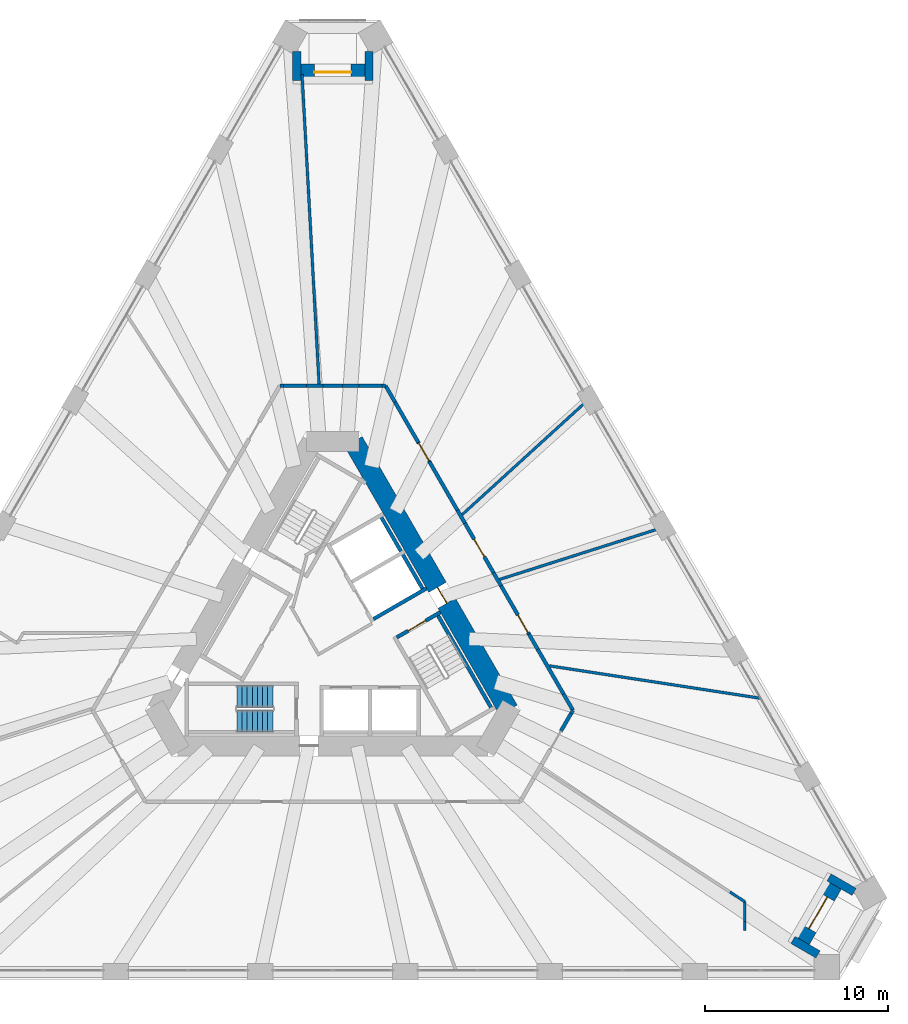
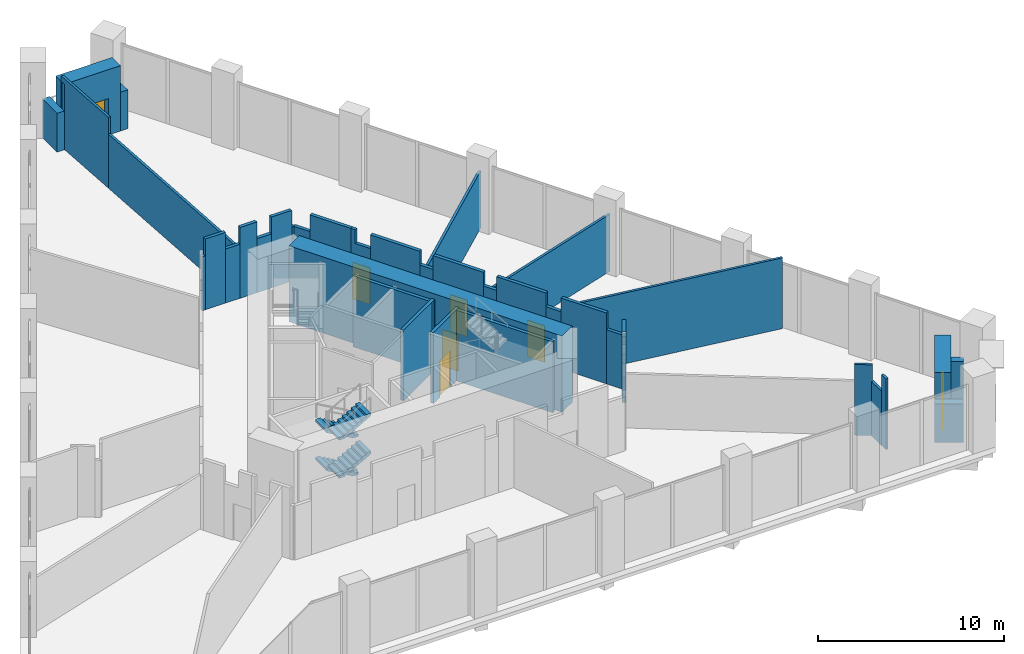
# One storey, part 15 of 20: 39 walls, 7 doors, 4 stair flights, 7 openings, 1 element without a shape of its own.
"""IFC4 building model written with IfcOpenShell, lengths in metres."""

from ifc_helpers import new_model, si_unit, direction, frame, frame_2d, origin, place, context, subcontext, project, spatial, polyline, rectangle, outline, extrude, material, layer, layer_set, type_object, element, fill, aggregate, save


model = new_model("IFC4")

# Units and contexts
model_context = context("Model", 3, precision=1e-05, world=origin(), true_north=direction((0.0, 1.0)))
body_context = subcontext(model_context, "Body", "Model", "MODEL_VIEW")
ifc_project = project(units=[si_unit("LENGTHUNIT", "METRE"), si_unit("AREAUNIT", "SQUARE_METRE"), si_unit("VOLUMEUNIT", "CUBIC_METRE"), si_unit("PLANEANGLEUNIT", "RADIAN"), si_unit("MASSUNIT", "GRAM", prefix="KILO")], contexts=[model_context])

# Site, building, storey
site_placement = place(None, origin())
site = spatial("IfcSite", under=ifc_project, at=site_placement, CompositionType="ELEMENT")
building_placement = place(site_placement, origin())
building = spatial("IfcBuilding", under=site, at=building_placement, Name="Tramontana Tower", CompositionType="ELEMENT")
storey_placement = place(building_placement, frame((0.0, 0.0, 10.0)))
storey = spatial("IfcBuildingStorey", under=building, at=storey_placement, Name="L01", CompositionType="ELEMENT", Elevation=10.0)

# Wall, opening, door
ifc_material_1 = material(Name="Concrete 70 MPa", Category="concrete")
ifc_layer_1 = layer(ifc_material_1, 1.10009765625)
ifc_layer_set_1 = layer_set([ifc_layer_1], Name="Core wall 1100 70 MPa")
wall_type_1 = type_object("IfcWallType", Name="Core wall 1100 70 MPa", PredefinedType="SHEAR", material=ifc_layer_set_1)
wall_1_placement = place(storey_placement, frame((9.61279296875, -4.25, 0.0), z_axis=(0.0, 0.0, 1.0), x_axis=(-0.500001757713, 0.866024388966, 0.0)))
wall_1 = element("IfcWall", 1, at=wall_1_placement, inside=storey, type_object=wall_type_1, Name="Core wall C5 L01", PredefinedType="SHEAR", context=body_context, shape_type="SweptSolid", body=[
    extrude(rectangle(XDim=16.97412109375, YDim=1.10009765625, at=frame_2d((8.487060546875, 0.0))), origin(), (0.0, 0.0, 1.0), 5.0),
])
opening_1_placement = place(wall_1_placement, frame((6.761962890625, 0.0, 0.0)))
opening_1 = element("IfcOpeningElement", 2, at=opening_1_placement, cuts=wall_1, Name="Opening RG3", PredefinedType="OPENING", context=body_context, shape_type="SweptSolid", body=[
    extrude(rectangle(XDim=1.0, YDim=2.39990234375, at=frame_2d((0.5, 1.199951171875))), frame((0.0, 0.56005859375, 0.0), z_axis=(0.0, -1.0, 0.0), x_axis=(1.0, 0.0, 0.0)), (0.0, 0.0, 1.0), 1.1201171875),
])
ifc_material_2 = material(Name="Painted steel", Category="steel")
door_type_1 = type_object("IfcDoorType", Name="RING DOOR 1000", OperationType="SINGLE_SWING_LEFT", PredefinedType="DOOR", material=ifc_material_2)
door_1_placement = place(opening_1_placement, origin())
door_1 = element("IfcDoor", 3, at=door_1_placement, inside=storey, type_object=door_type_1, Name="Door RG3", OperationType="SINGLE_SWING_LEFT", OverallHeight=2.39990234375, OverallWidth=1.0, PredefinedType="DOOR", context=body_context, shape_type="SweptSolid", body=[
    extrude(rectangle(XDim=1.0, YDim=2.39990234375, at=frame_2d((0.5, 1.199951171875))), frame((0.0, 0.02490234375, 0.0), z_axis=(0.0, -1.0, 0.0), x_axis=(1.0, 0.0, 0.0)), (0.0, 0.0, 1.0), 0.050048828125),
])
fill(opening_1, door_1)

# Walls
ifc_material_3 = material(Name="Blockwork", Category="masonry")
ifc_layer_2 = layer(ifc_material_3, 0.199951171875)
ifc_layer_set_2 = layer_set([ifc_layer_2], Name="ENTRY WALL 200")
wall_type_2 = type_object("IfcWallType", Name="ENTRY WALL 200", PredefinedType="SOLIDWALL", material=ifc_layer_set_2)
wall_2_placement = place(storey_placement, frame((2.88671875, 13.5, 0.0), z_axis=(0.0, 0.0, 1.0), x_axis=(0.499994660107, -0.866028486751, 0.0)))
element("IfcWall", 4, at=wall_2_placement, inside=storey, type_object=wall_type_2, Name="Wall ew0-0", PredefinedType="SOLIDWALL", context=body_context, shape_type="SweptSolid", body=[
    extrude(rectangle(XDim=1.03515625, YDim=0.199951171875, at=frame_2d((0.517578125, 0.0))), origin(), (0.0, 0.0, 1.0), 3.550048828125),
])
wall_3_placement = place(storey_placement, frame((3.404296875, 12.603515625, 0.0), z_axis=(0.0, 0.0, 1.0), x_axis=(0.50004602983, -0.865998826819, 0.0)))
element("IfcWall", 5, at=wall_3_placement, inside=storey, type_object=wall_type_2, Name="Wall ew0-1", PredefinedType="SOLIDWALL", context=body_context, shape_type="SweptSolid", body=[
    extrude(rectangle(XDim=2.547119140625, YDim=0.199951171875, at=frame_2d((1.2734375, 0.0))), origin(), (0.0, 0.0, 1.0), 4.64990234375),
])

# Wall, opening, door
wall_4_placement = place(storey_placement, frame((4.677978515625, 10.397705078125, 0.0), z_axis=(0.0, 0.0, 1.0), x_axis=(0.500040506767, -0.866002015928, 0.0)))
wall_4 = element("IfcWall", 6, at=wall_4_placement, inside=storey, type_object=wall_type_2, Name="Wall ew0-2", PredefinedType="SOLIDWALL", context=body_context, shape_type="SweptSolid", body=[
    extrude(outline(polyline([(0.0, 0.0), (1.21826171875, 0.0), (1.21826171875, 3.75), (0.268310546875, 3.75), (0.268310546875, 4.64990234375), (0.0, 4.64990234375), (0.0, 0.0)])), frame((0.0, 0.10009765625, 0.0), z_axis=(0.0, -1.0, 0.0), x_axis=(1.0, 0.0, 0.0)), (0.0, 0.0, 1.0), 0.199951171875),
])
opening_2_placement = place(wall_4_placement, frame((0.050048828125, 0.0, 0.0)))
opening_2 = element("IfcOpeningElement", 7, at=opening_2_placement, cuts=wall_4, Name="Opening L01-01", PredefinedType="OPENING", context=body_context, shape_type="SweptSolid", body=[
    extrude(rectangle(XDim=1.10009765625, YDim=2.39990234375, at=frame_2d((0.550048828125, 1.199951171875))), frame((0.0, 0.10986328125, 0.0), z_axis=(0.0, -1.0, 0.0), x_axis=(1.0, 0.0, 0.0)), (0.0, 0.0, 1.0), 0.219970703125),
])
ifc_material_4 = material(Name="Painted timber", Category="wood")
door_type_2 = type_object("IfcDoorType", Name="DOOR ENTRY 1100", OperationType="SINGLE_SWING_LEFT", PredefinedType="DOOR", material=ifc_material_4)
door_2_placement = place(opening_2_placement, origin())
door_2 = element("IfcDoor", 8, at=door_2_placement, inside=storey, type_object=door_type_2, Name="Door L01-01", OperationType="SINGLE_SWING_LEFT", OverallHeight=2.39990234375, OverallWidth=1.10009765625, PredefinedType="DOOR", context=body_context, shape_type="SweptSolid", body=[
    extrude(rectangle(XDim=1.10009765625, YDim=2.39990234375, at=frame_2d((0.550048828125, 1.199951171875))), frame((0.0, 0.02490234375, 0.0), z_axis=(0.0, -1.0, 0.0), x_axis=(1.0, 0.0, 0.0)), (0.0, 0.0, 1.0), 0.050048828125),
])
fill(opening_2, door_2)

# Walls
wall_5_placement = place(storey_placement, frame((5.287109375, 9.3427734375, 0.0), z_axis=(0.0, 0.0, 1.0), x_axis=(0.499952348839, -0.866052913447, 0.0)))
element("IfcWall", 9, at=wall_5_placement, inside=storey, type_object=wall_type_2, Name="Wall ew0-3", PredefinedType="SOLIDWALL", context=body_context, shape_type="SweptSolid", body=[
    extrude(rectangle(XDim=3.064208984375, YDim=0.199951171875, at=frame_2d((1.5322265625, 0.0))), origin(), (0.0, 0.0, 1.0), 4.64990234375),
])
wall_6_placement = place(storey_placement, frame((6.819091796875, 6.68896484375, 0.0), z_axis=(0.0, 0.0, 1.0), x_axis=(0.500118501653, -0.865956976012, 0.0)))
element("IfcWall", 10, at=wall_6_placement, inside=storey, type_object=wall_type_2, Name="Wall ew0-4", PredefinedType="SOLIDWALL", context=body_context, shape_type="SweptSolid", body=[
    extrude(rectangle(XDim=0.818115234375, YDim=0.199951171875, at=frame_2d((0.4091796875, 0.0))), origin(), (0.0, 0.0, 1.0), 3.75),
])

# Wall, opening, door
wall_7_placement = place(storey_placement, frame((7.228271484375, 5.98046875, 0.0), z_axis=(0.0, 0.0, 1.0), x_axis=(0.499947505232, -0.866055709532, 0.0)))
wall_7 = element("IfcWall", 11, at=wall_7_placement, inside=storey, type_object=wall_type_2, Name="Wall ew0-5", PredefinedType="SOLIDWALL", context=body_context, shape_type="SweptSolid", body=[
    extrude(rectangle(XDim=3.130126953125, YDim=0.199951171875, at=frame_2d((1.56494140625, 0.0))), origin(), (0.0, 0.0, 1.0), 4.64990234375),
])
opening_3_placement = place(wall_7_placement, frame((1.01513671875, 0.0, 0.0)))
opening_3 = element("IfcOpeningElement", 12, at=opening_3_placement, cuts=wall_7, Name="Opening L01-10", PredefinedType="OPENING", context=body_context, shape_type="SweptSolid", body=[
    extrude(rectangle(XDim=1.10009765625, YDim=2.39990234375, at=frame_2d((0.550048828125, 1.199951171875))), frame((0.0, 0.10986328125, 0.0), z_axis=(0.0, -1.0, 0.0), x_axis=(1.0, 0.0, 0.0)), (0.0, 0.0, 1.0), 0.219970703125),
])
door_3_placement = place(opening_3_placement, origin())
door_3 = element("IfcDoor", 13, at=door_3_placement, inside=storey, type_object=door_type_2, Name="Door L01-10", OperationType="SINGLE_SWING_RIGHT", OverallHeight=2.39990234375, OverallWidth=1.10009765625, PredefinedType="DOOR", context=body_context, shape_type="SweptSolid", body=[
    extrude(rectangle(XDim=1.10009765625, YDim=2.39990234375, at=frame_2d((0.550048828125, 1.199951171875))), frame((0.0, 0.02490234375, 0.0), z_axis=(0.0, -1.0, 0.0), x_axis=(1.0, 0.0, 0.0)), (0.0, 0.0, 1.0), 0.050048828125),
])
fill(opening_3, door_3)

# Wall
wall_8_placement = place(storey_placement, frame((8.793212890625, 3.26953125, 0.0), z_axis=(0.0, 0.0, 1.0), x_axis=(0.500118501653, -0.865956976012, 0.0)))
element("IfcWall", 14, at=wall_8_placement, inside=storey, type_object=wall_type_2, Name="Wall ew0-6", PredefinedType="SOLIDWALL", context=body_context, shape_type="SweptSolid", body=[
    extrude(rectangle(XDim=0.818115234375, YDim=0.199951171875, at=frame_2d((0.4091796875, 0.0))), origin(), (0.0, 0.0, 1.0), 3.75),
])

# Wall, opening, door
wall_9_placement = place(storey_placement, frame((9.202392578125, 2.56103515625, 0.0), z_axis=(0.0, 0.0, 1.0), x_axis=(0.499952348839, -0.866052913447, 0.0)))
wall_9 = element("IfcWall", 15, at=wall_9_placement, inside=storey, type_object=wall_type_2, Name="Wall ew0-7", PredefinedType="SOLIDWALL", context=body_context, shape_type="SweptSolid", body=[
    extrude(rectangle(XDim=3.064208984375, YDim=0.199951171875, at=frame_2d((1.5322265625, 0.0))), origin(), (0.0, 0.0, 1.0), 4.64990234375),
])
opening_4_placement = place(wall_9_placement, frame((1.838623046875, 0.0, 0.0)))
opening_4 = element("IfcOpeningElement", 16, at=opening_4_placement, cuts=wall_9, Name="Opening L01-09", PredefinedType="OPENING", context=body_context, shape_type="SweptSolid", body=[
    extrude(rectangle(XDim=1.10009765625, YDim=2.39990234375, at=frame_2d((0.550048828125, 1.199951171875))), frame((0.0, 0.10986328125, 0.0), z_axis=(0.0, -1.0, 0.0), x_axis=(1.0, 0.0, 0.0)), (0.0, 0.0, 1.0), 0.219970703125),
])
door_4_placement = place(opening_4_placement, origin())
door_4 = element("IfcDoor", 17, at=door_4_placement, inside=storey, type_object=door_type_2, Name="Door L01-09", OperationType="SINGLE_SWING_LEFT", OverallHeight=2.39990234375, OverallWidth=1.10009765625, PredefinedType="DOOR", context=body_context, shape_type="SweptSolid", body=[
    extrude(rectangle(XDim=1.10009765625, YDim=2.39990234375, at=frame_2d((0.550048828125, 1.199951171875))), frame((0.0, 0.02490234375, 0.0), z_axis=(0.0, -1.0, 0.0), x_axis=(1.0, 0.0, 0.0)), (0.0, 0.0, 1.0), 0.050048828125),
])
fill(opening_4, door_4)

# Walls
wall_10_placement = place(storey_placement, frame((10.734375, -0.0927734375, 0.0), z_axis=(0.0, 0.0, 1.0), x_axis=(0.500174821557, -0.865924446982, 0.0)))
element("IfcWall", 18, at=wall_10_placement, inside=storey, type_object=wall_type_2, Name="Wall ew0-8", PredefinedType="SOLIDWALL", context=body_context, shape_type="SweptSolid", body=[
    extrude(rectangle(XDim=0.949951171875, YDim=0.199951171875, at=frame_2d((0.47509765625, 0.0))), origin(), (0.0, 0.0, 1.0), 3.75),
])
wall_11_placement = place(storey_placement, frame((11.20947265625, -0.915283203125, 0.0), z_axis=(0.0, 0.0, 1.0), x_axis=(0.49993514545, -0.866062844338, 0.0)))
element("IfcWall", 19, at=wall_11_placement, inside=storey, type_object=wall_type_2, Name="Wall ew0-9", PredefinedType="SOLIDWALL", context=body_context, shape_type="SweptSolid", body=[
    extrude(rectangle(XDim=2.815185546875, YDim=0.199951171875, at=frame_2d((1.40771484375, 0.0))), origin(), (0.0, 0.0, 1.0), 4.64990234375),
])
wall_12_placement = place(storey_placement, frame((12.616943359375, -3.353515625, 0.0), z_axis=(0.0, 0.0, 1.0), x_axis=(0.500171514983, -0.865926356915, 0.0)))
element("IfcWall", 20, at=wall_12_placement, inside=storey, type_object=wall_type_2, Name="Wall ew0-10", PredefinedType="SOLIDWALL", context=body_context, shape_type="SweptSolid", body=[
    extrude(rectangle(XDim=1.035400390625, YDim=0.199951171875, at=frame_2d((0.517578125, 0.0))), origin(), (0.0, 0.0, 1.0), 3.550048828125),
])
wall_13_placement = place(storey_placement, frame((13.134765625, -4.25, 0.0), z_axis=(0.0, 0.0, 1.0), x_axis=(-0.499865263774, -0.866103179807, 0.0)))
element("IfcWall", 21, at=wall_13_placement, inside=storey, type_object=wall_type_2, Name="Wall ew1-0", PredefinedType="SOLIDWALL", context=body_context, shape_type="SweptSolid", body=[
    extrude(rectangle(XDim=0.197265625, YDim=0.199951171875, at=frame_2d((0.0986328125, 0.0))), origin(), (0.0, 0.0, 1.0), 3.550048828125),
])
wall_14_placement = place(storey_placement, frame((13.0361328125, -4.4208984375, 0.0), z_axis=(0.0, 0.0, 1.0), x_axis=(-0.499978356969, -0.866037899034, 0.0)))
element("IfcWall", 22, at=wall_14_placement, inside=storey, type_object=wall_type_2, Name="Wall ew1-1", PredefinedType="SOLIDWALL", context=body_context, shape_type="SweptSolid", body=[
    extrude(rectangle(XDim=1.10107421875, YDim=0.199951171875, at=frame_2d((0.550537109375, 0.0))), origin(), (0.0, 0.0, 1.0), 4.64990234375),
])
wall_15_placement = place(storey_placement, frame((-2.88671875, 13.5, 0.0), z_axis=(0.0, 0.0, 1.0), x_axis=(1.0, 0.0, 0.0)))
element("IfcWall", 23, at=wall_15_placement, inside=storey, type_object=wall_type_2, Name="Wall ew5-0", PredefinedType="SOLIDWALL", context=body_context, shape_type="SweptSolid", body=[
    extrude(rectangle(XDim=0.197265625, YDim=0.199951171875, at=frame_2d((0.0986328125, 0.0))), origin(), (0.0, 0.0, 1.0), 3.550048828125),
])
wall_16_placement = place(storey_placement, frame((-2.689453125, 13.5, 0.0), z_axis=(0.0, 0.0, 1.0), x_axis=(1.0, 0.0, 0.0)))
element("IfcWall", 24, at=wall_16_placement, inside=storey, type_object=wall_type_2, Name="Wall ew5-1", PredefinedType="SOLIDWALL", context=body_context, shape_type="SweptSolid", body=[
    extrude(rectangle(XDim=1.266845703125, YDim=0.199951171875, at=frame_2d((0.63330078125, 0.0))), origin(), (0.0, 0.0, 1.0), 4.64990234375),
])
wall_17_placement = place(storey_placement, frame((-1.422607421875, 13.5, 0.0), z_axis=(0.0, 0.0, 1.0), x_axis=(1.0, 0.0, 0.0)))
element("IfcWall", 25, at=wall_17_placement, inside=storey, type_object=wall_type_2, Name="Wall ew5-2", PredefinedType="SOLIDWALL", context=body_context, shape_type="SweptSolid", body=[
    extrude(rectangle(XDim=0.90234375, YDim=0.199951171875, at=frame_2d((0.451171875, 0.0))), origin(), (0.0, 0.0, 1.0), 3.550048828125),
])
wall_18_placement = place(storey_placement, frame((-0.520263671875, 13.5, 0.0), z_axis=(0.0, 0.0, 1.0), x_axis=(1.0, 0.0, 0.0)))
element("IfcWall", 26, at=wall_18_placement, inside=storey, type_object=wall_type_2, Name="Wall ew5-3", PredefinedType="SOLIDWALL", context=body_context, shape_type="SweptSolid", body=[
    extrude(rectangle(XDim=1.04052734375, YDim=0.199951171875, at=frame_2d((0.520263671875, 0.0))), origin(), (0.0, 0.0, 1.0), 4.64990234375),
])
wall_19_placement = place(storey_placement, frame((0.520263671875, 13.5, 0.0), z_axis=(0.0, 0.0, 1.0), x_axis=(1.0, 0.0, 0.0)))
element("IfcWall", 27, at=wall_19_placement, inside=storey, type_object=wall_type_2, Name="Wall ew5-4", PredefinedType="SOLIDWALL", context=body_context, shape_type="SweptSolid", body=[
    extrude(rectangle(XDim=0.90234375, YDim=0.199951171875, at=frame_2d((0.451171875, 0.0))), origin(), (0.0, 0.0, 1.0), 3.550048828125),
])
wall_20_placement = place(storey_placement, frame((1.422607421875, 13.5, 0.0), z_axis=(0.0, 0.0, 1.0), x_axis=(1.0, 0.0, 0.0)))
element("IfcWall", 28, at=wall_20_placement, inside=storey, type_object=wall_type_2, Name="Wall ew5-5", PredefinedType="SOLIDWALL", context=body_context, shape_type="SweptSolid", body=[
    extrude(rectangle(XDim=1.266845703125, YDim=0.199951171875, at=frame_2d((0.63330078125, 0.0))), origin(), (0.0, 0.0, 1.0), 4.64990234375),
])
wall_21_placement = place(storey_placement, frame((2.689453125, 13.5, 0.0), z_axis=(0.0, 0.0, 1.0), x_axis=(1.0, 0.0, 0.0)))
element("IfcWall", 29, at=wall_21_placement, inside=storey, type_object=wall_type_2, Name="Wall ew5-6", PredefinedType="SOLIDWALL", context=body_context, shape_type="SweptSolid", body=[
    extrude(rectangle(XDim=0.197265625, YDim=0.199951171875, at=frame_2d((0.0986328125, 0.0))), origin(), (0.0, 0.0, 1.0), 3.550048828125),
])
ifc_material_5 = material(Name="Precast concrete 60 MPa", Category="concrete")
ifc_layer_3 = layer(ifc_material_5, 0.449951171875)
ifc_layer_set_3 = layer_set([ifc_layer_3], Name="Precast concrete 60 MPa, 450 mm")
wall_type_3 = type_object("IfcWallType", Name="EW1 Stone-faced precast wall 450", PredefinedType="SOLIDWALL", material=ifc_layer_set_3)
for number, where, z_axis, x_axis, name in (
    (30, (-1.97509765625, 31.779296875, 0.0), (0.0, 0.0, 1.0), (0.0, -1.0, 0.0), "Corner loggia side wall L01 K00l"),
    (31, (1.97509765625, 31.779296875, 0.0), (0.0, 0.0, 1.0), (0.0, -1.0, 0.0), "Corner loggia side wall L01 K00r"),
):
    element("IfcWall", number, at=place(storey_placement, frame(where, z_axis=z_axis, x_axis=x_axis)), inside=storey, type_object=wall_type_3, Name=name, PredefinedType="SOLIDWALL", context=body_context, shape_type="SweptSolid", body=[
        extrude(rectangle(XDim=1.579345703125, YDim=0.449951171875, at=frame_2d((0.78955078125, 0.0))), origin(), (0.0, 0.0, 1.0), 2.550048828125),
    ])
wall_22_placement = place(storey_placement, frame((28.509033203125, -14.17919921875, 0.0), z_axis=(0.0, 0.0, 1.0), x_axis=(-0.866046570609, 0.499963336192, 0.0)))
element("IfcWall", 32, at=wall_22_placement, inside=storey, type_object=wall_type_3, Name="Corner loggia side wall L01 K02l", PredefinedType="SOLIDWALL", context=body_context, shape_type="SweptSolid", body=[
    extrude(rectangle(XDim=1.5791015625, YDim=0.449951171875, at=frame_2d((0.78955078125, 0.0))), origin(), (0.0, 0.0, 1.0), 2.550048828125),
])
wall_23_placement = place(storey_placement, frame((26.5341796875, -17.60009765625, 0.0), z_axis=(0.0, 0.0, 1.0), x_axis=(-0.86597962928, 0.500079275387, 0.0)))
element("IfcWall", 33, at=wall_23_placement, inside=storey, type_object=wall_type_3, Name="Corner loggia side wall L01 K02r", PredefinedType="SOLIDWALL", context=body_context, shape_type="SweptSolid", body=[
    extrude(rectangle(XDim=1.579345703125, YDim=0.449951171875, at=frame_2d((0.78955078125, 0.0))), origin(), (0.0, 0.0, 1.0), 2.550048828125),
])

# Wall, opening, door
ifc_material_6 = material(Name="Precast concrete 60 MPa", Category="concrete")
ifc_layer_4 = layer(ifc_material_6, 0.89990234375)
ifc_layer_set_4 = layer_set([ifc_layer_4], Name="EW2 Stone-faced corner loggia wall 900")
wall_type_4 = type_object("IfcWallType", Name="EW2 Stone-faced corner loggia wall 900", PredefinedType="SOLIDWALL", material=ifc_layer_set_4)
wall_24_placement = place(storey_placement, frame((-1.75, 30.64990234375, 0.0), z_axis=(0.0, 0.0, 1.0), x_axis=(1.0, 0.0, 0.0)))
wall_24 = element("IfcWall", 34, at=wall_24_placement, inside=storey, type_object=wall_type_4, Name="Corner loggia wall L01 K00", PredefinedType="SOLIDWALL", context=body_context, shape_type="SweptSolid", body=[
    extrude(rectangle(XDim=3.5, YDim=0.89990234375, at=frame_2d((1.75, 0.0))), origin(), (0.0, 0.0, 1.0), 4.300048828125),
])
opening_5_placement = place(wall_24_placement, frame((0.75, 0.0, 0.0)))
opening_5 = element("IfcOpeningElement", 35, at=opening_5_placement, cuts=wall_24, Name="Opening BD-00C", PredefinedType="OPENING", context=body_context, shape_type="SweptSolid", body=[
    extrude(rectangle(XDim=2.0, YDim=2.39990234375, at=frame_2d((1.0, 1.199951171875))), frame((0.0, 0.4599609375, 0.0), z_axis=(0.0, -1.0, 0.0), x_axis=(1.0, 0.0, 0.0)), (0.0, 0.0, 1.0), 0.919921875),
])
ifc_material_7 = material(Name="Aluminum frame, double glazing unit", Category="aluminium")
door_type_3 = type_object("IfcDoorType", Name="BC1 Sliding door 2 x 2.4", OperationType="SLIDING_TO_LEFT", PredefinedType="DOOR", material=ifc_material_7)
door_5_placement = place(opening_5_placement, origin())
door_5 = element("IfcDoor", 36, at=door_5_placement, inside=storey, type_object=door_type_3, Name="Corner loggia door L01 K00", OperationType="SLIDING_TO_LEFT", OverallHeight=2.39990234375, OverallWidth=2.0, PredefinedType="DOOR", context=body_context, shape_type="SweptSolid", body=[
    extrude(rectangle(XDim=2.0, YDim=2.39990234375, at=frame_2d((1.0, 1.199951171875))), frame((0.0, 0.02490234375, 0.0), z_axis=(0.0, -1.0, 0.0), x_axis=(1.0, 0.0, 0.0)), (0.0, 0.0, 1.0), 0.050048828125),
])
fill(opening_5, door_5)

wall_25_placement = place(storey_placement, frame((27.418701171875, -13.8095703125, 0.0), z_axis=(0.0, 0.0, 1.0), x_axis=(-0.500010275428, -0.866019471182, 0.0)))
wall_25 = element("IfcWall", 37, at=wall_25_placement, inside=storey, type_object=wall_type_4, Name="Corner loggia wall L01 K02", PredefinedType="SOLIDWALL", context=body_context, shape_type="SweptSolid", body=[
    extrude(rectangle(XDim=3.5, YDim=0.89990234375, at=frame_2d((1.75, 0.0))), origin(), (0.0, 0.0, 1.0), 4.300048828125),
])
opening_6_placement = place(wall_25_placement, frame((0.75, 0.0, 0.0)))
opening_6 = element("IfcOpeningElement", 38, at=opening_6_placement, cuts=wall_25, Name="Opening BD-02C", PredefinedType="OPENING", context=body_context, shape_type="SweptSolid", body=[
    extrude(rectangle(XDim=2.0, YDim=2.39990234375, at=frame_2d((1.0, 1.199951171875))), frame((0.0, 0.4599609375, 0.0), z_axis=(0.0, -1.0, 0.0), x_axis=(1.0, 0.0, 0.0)), (0.0, 0.0, 1.0), 0.919921875),
])
door_6_placement = place(opening_6_placement, origin())
door_6 = element("IfcDoor", 39, at=door_6_placement, inside=storey, type_object=door_type_3, Name="Corner loggia door L01 K02", OperationType="SLIDING_TO_LEFT", OverallHeight=2.39990234375, OverallWidth=2.0, PredefinedType="DOOR", context=body_context, shape_type="SweptSolid", body=[
    extrude(rectangle(XDim=2.0, YDim=2.39990234375, at=frame_2d((1.0, 1.199951171875))), frame((0.0, 0.02490234375, 0.0), z_axis=(0.0, -1.0, 0.0), x_axis=(1.0, 0.0, 0.0)), (0.0, 0.0, 1.0), 0.050048828125),
])
fill(opening_6, door_6)

# Walls
ifc_material_8 = material(Name="Gypsum board partition")
ifc_layer_5 = layer(ifc_material_8, 0.14990234375)
ifc_layer_set_5 = layer_set([ifc_layer_5], Name="PARTITION 150")
wall_type_5 = type_object("IfcWallType", Name="PARTITION 150", PredefinedType="PARTITIONING", material=ifc_layer_set_5)
wall_26_placement = place(storey_placement, frame((-0.748291015625, 13.60009765625, 0.0), z_axis=(0.0, 0.0, 1.0), x_axis=(-0.054959765321, 0.998488569887, 0.0)))
element("IfcWall", 40, at=wall_26_placement, inside=storey, type_object=wall_type_5, Name="Wall fw-pw07-0", PredefinedType="PARTITIONING", context=body_context, shape_type="SweptSolid", body=[
    extrude(rectangle(XDim=12.322509765625, YDim=0.14990234375, at=frame_2d((6.1611328125, 0.0))), origin(), (0.0, 0.0, 1.0), 3.550048828125),
])
wall_27_placement = place(storey_placement, frame((-1.425537109375, 25.904052734375, 0.0), z_axis=(0.0, 0.0, 1.0), x_axis=(-0.05490964551, 0.998491327368, 0.0)))
element("IfcWall", 41, at=wall_27_placement, inside=storey, type_object=wall_type_5, Name="Wall fw-pw07-1", PredefinedType="PARTITIONING", context=body_context, shape_type="SweptSolid", body=[
    extrude(rectangle(XDim=4.633056640625, YDim=0.14990234375, at=frame_2d((2.31640625, 0.0))), origin(), (0.0, 0.0, 1.0), 4.64990234375),
])
wall_28_placement = place(storey_placement, frame((9.119873046875, 2.90380859375, 0.0), z_axis=(0.0, 0.0, 1.0), x_axis=(0.952860213553, 0.303409646233, 0.0)))
element("IfcWall", 42, at=wall_28_placement, inside=storey, type_object=wall_type_5, Name="Wall fw-pw09-0", PredefinedType="PARTITIONING", context=body_context, shape_type="SweptSolid", body=[
    extrude(rectangle(XDim=9.294677734375, YDim=0.14990234375, at=frame_2d((4.6474609375, 0.0))), origin(), (0.0, 0.0, 1.0), 3.75),
])
wall_29_placement = place(storey_placement, frame((21.720947265625, -14.1865234375, 0.0), z_axis=(0.0, 0.0, 1.0), x_axis=(0.83723526704, -0.546842854598, 0.0)))
element("IfcWall", 43, at=wall_29_placement, inside=storey, type_object=wall_type_5, Name="Wall fw-pw10-1", PredefinedType="PARTITIONING", context=body_context, shape_type="SweptSolid", body=[
    extrude(rectangle(XDim=0.970947265625, YDim=0.14990234375, at=frame_2d((0.4853515625, 0.0))), origin(), (0.0, 0.0, 1.0), 4.64990234375),
])
wall_30_placement = place(storey_placement, frame((11.8466796875, -1.819091796875, 0.0), z_axis=(0.0, 0.0, 1.0), x_axis=(0.988414820691, -0.151776619539, 0.0)))
element("IfcWall", 44, at=wall_30_placement, inside=storey, type_object=wall_type_5, Name="Wall fw-pw11", PredefinedType="PARTITIONING", context=body_context, shape_type="SweptSolid", body=[
    extrude(rectangle(XDim=11.639404296875, YDim=0.14990234375, at=frame_2d((5.81982421875, 0.0))), origin(), (0.0, 0.0, 1.0), 4.64990234375),
])
wall_31_placement = place(storey_placement, frame((13.9453125, 12.7060546875, 0.0), z_axis=(0.0, 0.0, 1.0), x_axis=(-0.739189653688, -0.673497331754, 0.0)))
element("IfcWall", 45, at=wall_31_placement, inside=storey, type_object=wall_type_5, Name="Wall fw-pw12-0", PredefinedType="PARTITIONING", context=body_context, shape_type="SweptSolid", body=[
    extrude(rectangle(XDim=9.294677734375, YDim=0.14990234375, at=frame_2d((4.6474609375, 0.0))), origin(), (0.0, 0.0, 1.0), 3.75),
])
wall_32_placement = place(storey_placement, frame((22.533935546875, -14.717529296875, 0.0), z_axis=(0.0, 0.0, 1.0), x_axis=(0.0, -1.0, 0.0)))
element("IfcWall", 46, at=wall_32_placement, inside=storey, type_object=wall_type_5, Name="Wall fw-pw13-0", PredefinedType="PARTITIONING", context=body_context, shape_type="SweptSolid", body=[
    extrude(rectangle(XDim=1.07666015625, YDim=0.14990234375, at=frame_2d((0.538330078125, 0.0))), origin(), (0.0, 0.0, 1.0), 3.550048828125),
])
wall_33_placement = place(storey_placement, frame((22.533935546875, -15.794189453125, 0.0), z_axis=(0.0, 0.0, 1.0), x_axis=(0.0, -1.0, 0.0)))
element("IfcWall", 47, at=wall_33_placement, inside=storey, type_object=wall_type_5, Name="Wall fw-pw13-1", PredefinedType="PARTITIONING", context=body_context, shape_type="SweptSolid", body=[
    extrude(rectangle(XDim=0.48583984375, YDim=0.14990234375, at=frame_2d((0.242919921875, 0.0))), origin(), (0.0, 0.0, 1.0), 4.64990234375),
])
ifc_material_9 = material(Name="Concrete 70 MPa", Category="concrete")
ifc_layer_6 = layer(ifc_material_9, 0.199951171875)
ifc_layer_set_6 = layer_set([ifc_layer_6], Name="Concrete 70 MPa, 200 mm")
wall_type_6 = type_object("IfcWallType", Name="RC SHAFT BACK WALL 200", PredefinedType="SOLIDWALL", material=ifc_layer_set_6)
wall_34_placement = place(storey_placement, frame((8.759765625, -4.2724609375, 0.0), z_axis=(0.0, 0.0, 1.0), x_axis=(-0.49998037582, 0.866036733513, 0.0)))
element("IfcWall", 48, at=wall_34_placement, inside=storey, type_object=wall_type_6, Name="Wall st3-back", PredefinedType="SOLIDWALL", context=body_context, shape_type="SweptSolid", body=[
    extrude(rectangle(XDim=6.199951171875, YDim=0.199951171875, at=frame_2d((3.10009765625, 0.0))), origin(), (0.0, 0.0, 1.0), 4.64990234375),
])
wall_35_placement = place(storey_placement, frame((5.0048828125, 2.2314453125, 0.0), z_axis=(0.0, 0.0, 1.0), x_axis=(-0.500002801628, 0.866023786258, 0.0)))
element("IfcWall", 49, at=wall_35_placement, inside=storey, type_object=wall_type_6, Name="Wall row2-back", PredefinedType="SOLIDWALL", context=body_context, shape_type="SweptSolid", body=[
    extrude(rectangle(XDim=4.89990234375, YDim=0.199951171875, at=frame_2d((2.449951171875, 0.0))), origin(), (0.0, 0.0, 1.0), 4.64990234375),
])

# Wall, opening, door
ifc_material_10 = material(Name="Concrete 70 MPa", Category="concrete")
ifc_layer_7 = layer(ifc_material_10, 0.199951171875)
ifc_layer_set_7 = layer_set([ifc_layer_7], Name="Concrete 70 MPa, 200 mm")
wall_type_7 = type_object("IfcWallType", Name="RC STAIR AND SHAFT WALL 200", PredefinedType="SOLIDWALL", material=ifc_layer_set_7)
wall_36_placement = place(storey_placement, frame((3.50146484375, -0.2646484375, 0.0), z_axis=(0.0, 0.0, 1.0), x_axis=(0.866027397988, 0.499996545922, 0.0)))
wall_36 = element("IfcWall", 50, at=wall_36_placement, inside=storey, type_object=wall_type_7, Name="Wall st3-near", PredefinedType="SOLIDWALL", context=body_context, shape_type="SweptSolid", body=[
    extrude(rectangle(XDim=2.75, YDim=0.199951171875, at=frame_2d((1.375, 0.0))), origin(), (0.0, 0.0, 1.0), 4.64990234375),
])
opening_7_placement = place(wall_36_placement, frame((0.72509765625, 0.0, 0.0)))
opening_7 = element("IfcOpeningElement", 51, at=opening_7_placement, cuts=wall_36, Name="Opening SD3", PredefinedType="OPENING", context=body_context, shape_type="SweptSolid", body=[
    extrude(rectangle(XDim=1.10009765625, YDim=2.39990234375, at=frame_2d((0.550048828125, 1.199951171875))), frame((0.0, 0.10986328125, 0.0), z_axis=(0.0, -1.0, 0.0), x_axis=(1.0, 0.0, 0.0)), (0.0, 0.0, 1.0), 0.219970703125),
])
ifc_material_11 = material(Name="Painted steel", Category="steel")
door_type_4 = type_object("IfcDoorType", Name="STAIR DOOR 1100", OperationType="SINGLE_SWING_LEFT", PredefinedType="DOOR", material=ifc_material_11)
door_7_placement = place(opening_7_placement, origin())
door_7 = element("IfcDoor", 52, at=door_7_placement, inside=storey, type_object=door_type_4, Name="Door SD3", OperationType="SINGLE_SWING_RIGHT", OverallHeight=2.39990234375, OverallWidth=1.10009765625, PredefinedType="DOOR", context=body_context, shape_type="SweptSolid", body=[
    extrude(rectangle(XDim=1.10009765625, YDim=2.39990234375, at=frame_2d((0.550048828125, 1.199951171875))), frame((0.0, 0.02490234375, 0.0), z_axis=(0.0, -1.0, 0.0), x_axis=(1.0, 0.0, 0.0)), (0.0, 0.0, 1.0), 0.050048828125),
])
fill(opening_7, door_7)

# Wall
wall_37_placement = place(storey_placement, frame((2.226806640625, 0.742919921875, 0.0), z_axis=(0.0, 0.0, 1.0), x_axis=(0.866014461049, 0.500018952895, 0.0)))
element("IfcWall", 53, at=wall_37_placement, inside=storey, type_object=wall_type_7, Name="Wall row2-side0", PredefinedType="SOLIDWALL", context=body_context, shape_type="SweptSolid", body=[
    extrude(rectangle(XDim=3.349853515625, YDim=0.199951171875, at=frame_2d((1.6748046875, 0.0))), origin(), (0.0, 0.0, 1.0), 4.64990234375),
])

# Stair, stair flights
ifc_material_12 = material(Name="Concrete 40 MPa", Category="concrete")
stair_type = type_object("IfcStairType", Name="EXIT STAIR 32 RISERS", PredefinedType="HALF_TURN_STAIR", material=ifc_material_12)
stair_placement = place(storey_placement, origin())
stair = element("IfcStair", 54, at=stair_placement, inside=storey, type_object=stair_type, Name="L01 Exit stair ST2", PredefinedType="HALF_TURN_STAIR")
ifc_material_13 = material(Name="Concrete 40 MPa", Category="concrete")
ifc_layer_8 = layer(ifc_material_13, 0.14990234375)
ifc_layer_set_8 = layer_set([ifc_layer_8], Name="EXIT STAIR FLIGHT")
stair_flight_type = type_object("IfcStairFlightType", Name="EXIT STAIR FLIGHT", PredefinedType="STRAIGHT", material=ifc_layer_set_8)
stair_flight_1_placement = place(storey_placement, frame((-3.280029296875, -3.5, 0.0), z_axis=(0.0, 0.0, 1.0), x_axis=(-1.0, 0.0, 0.0)))
stair_flight_1 = element("IfcStairFlight", 55, at=stair_flight_1_placement, type_object=stair_flight_type, Name="ST2 flight 1", NumberOfRisers=8, NumberOfTreads=7, PredefinedType="STRAIGHT", RiserHeight=0.15625, TreadLength=0.28, context=body_context, shape_type="SweptSolid", body=[
    extrude(outline(polyline([(-0.006103515625, 0.0), (-0.006103515625, 0.0400390625), (0.0, 0.0400390625), (0.0, 0.15625), (0.280029296875, 0.15625), (0.280029296875, 0.3125), (0.56005859375, 0.3125), (0.56005859375, 0.46875), (0.840087890625, 0.46875), (0.840087890625, 0.625), (1.1201171875, 0.625), (1.1201171875, 0.78125), (1.39990234375, 0.78125), (1.39990234375, 0.9375), (1.679931640625, 0.9375), (1.679931640625, 1.09375), (1.9599609375, 1.09375), (1.966064453125, 1.09375), (1.966064453125, 0.922119140625), (0.313720703125, 0.0), (-0.006103515625, 0.0)])), frame((0.0, 0.60009765625, 0.0), z_axis=(0.0, -1.0, 0.0), x_axis=(1.0, 0.0, 0.0)), (0.0, 0.0, 1.0), 1.199951171875),
])
stair_flight_2_placement = place(storey_placement, frame((-5.239990234375, -4.85009765625, 1.25), z_axis=(0.0, 0.0, 1.0), x_axis=(1.0, 0.0, 0.0)))
stair_flight_2 = element("IfcStairFlight", 56, at=stair_flight_2_placement, type_object=stair_flight_type, Name="ST2 flight 2", NumberOfRisers=8, NumberOfTreads=7, PredefinedType="STRAIGHT", RiserHeight=0.15625, TreadLength=0.28, context=body_context, shape_type="SweptSolid", body=[
    extrude(outline(polyline([(-0.006103515625, 0.0), (-0.006103515625, 0.0400390625), (0.0, 0.0400390625), (0.0, 0.15625), (0.280029296875, 0.15625), (0.280029296875, 0.3125), (0.56005859375, 0.3125), (0.56005859375, 0.46875), (0.840087890625, 0.46875), (0.840087890625, 0.625), (1.1201171875, 0.625), (1.1201171875, 0.78125), (1.39990234375, 0.78125), (1.39990234375, 0.9375), (1.679931640625, 0.9375), (1.679931640625, 1.09375), (1.9599609375, 1.09375), (1.966064453125, 1.09375), (1.966064453125, 0.922119140625), (0.313720703125, 0.0), (-0.006103515625, 0.0)])), frame((0.0, 0.60009765625, 0.0), z_axis=(0.0, -1.0, 0.0), x_axis=(1.0, 0.0, 0.0)), (0.0, 0.0, 1.0), 1.199951171875),
])
stair_flight_3_placement = place(storey_placement, frame((-3.280029296875, -3.5, 2.5), z_axis=(0.0, 0.0, 1.0), x_axis=(-1.0, 0.0, 0.0)))
stair_flight_3 = element("IfcStairFlight", 57, at=stair_flight_3_placement, type_object=stair_flight_type, Name="ST2 flight 3", NumberOfRisers=8, NumberOfTreads=7, PredefinedType="STRAIGHT", RiserHeight=0.15625, TreadLength=0.28, context=body_context, shape_type="SweptSolid", body=[
    extrude(outline(polyline([(-0.006103515625, 0.0), (-0.006103515625, 0.0400390625), (0.0, 0.0400390625), (0.0, 0.15625), (0.280029296875, 0.15625), (0.280029296875, 0.3125), (0.56005859375, 0.3125), (0.56005859375, 0.46875), (0.840087890625, 0.46875), (0.840087890625, 0.625), (1.1201171875, 0.625), (1.1201171875, 0.78125), (1.39990234375, 0.78125), (1.39990234375, 0.9375), (1.679931640625, 0.9375), (1.679931640625, 1.09375), (1.9599609375, 1.09375), (1.966064453125, 1.09375), (1.966064453125, 0.922119140625), (0.313720703125, 0.0), (-0.006103515625, 0.0)])), frame((0.0, 0.60009765625, 0.0), z_axis=(0.0, -1.0, 0.0), x_axis=(1.0, 0.0, 0.0)), (0.0, 0.0, 1.0), 1.199951171875),
])
stair_flight_4_placement = place(storey_placement, frame((-5.239990234375, -4.85009765625, 3.75), z_axis=(0.0, 0.0, 1.0), x_axis=(1.0, 0.0, 0.0)))
stair_flight_4 = element("IfcStairFlight", 58, at=stair_flight_4_placement, type_object=stair_flight_type, Name="ST2 flight 4", NumberOfRisers=8, NumberOfTreads=7, PredefinedType="STRAIGHT", RiserHeight=0.15625, TreadLength=0.28, context=body_context, shape_type="SweptSolid", body=[
    extrude(outline(polyline([(-0.006103515625, 0.0), (-0.006103515625, 0.0400390625), (0.0, 0.0400390625), (0.0, 0.15625), (0.280029296875, 0.15625), (0.280029296875, 0.3125), (0.56005859375, 0.3125), (0.56005859375, 0.46875), (0.840087890625, 0.46875), (0.840087890625, 0.625), (1.1201171875, 0.625), (1.1201171875, 0.78125), (1.39990234375, 0.78125), (1.39990234375, 0.9375), (1.679931640625, 0.9375), (1.679931640625, 1.09375), (1.9599609375, 1.09375), (1.966064453125, 1.09375), (1.966064453125, 0.922119140625), (0.313720703125, 0.0), (-0.006103515625, 0.0)])), frame((0.0, 0.60009765625, 0.0), z_axis=(0.0, -1.0, 0.0), x_axis=(1.0, 0.0, 0.0)), (0.0, 0.0, 1.0), 1.199951171875),
])
aggregate(stair, [stair_flight_1, stair_flight_2, stair_flight_3, stair_flight_4])

save(model, "model.ifc")
